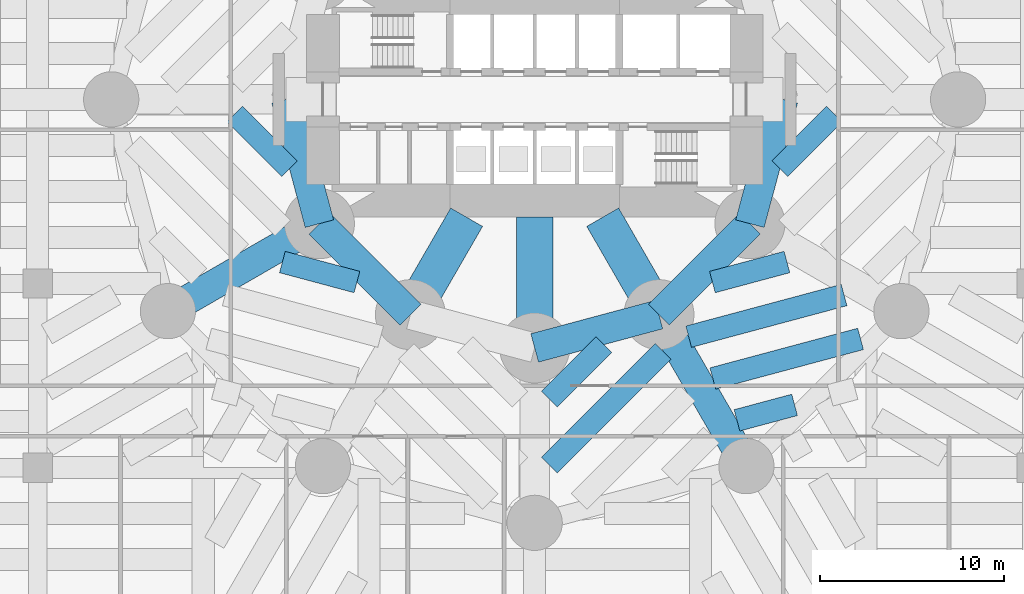
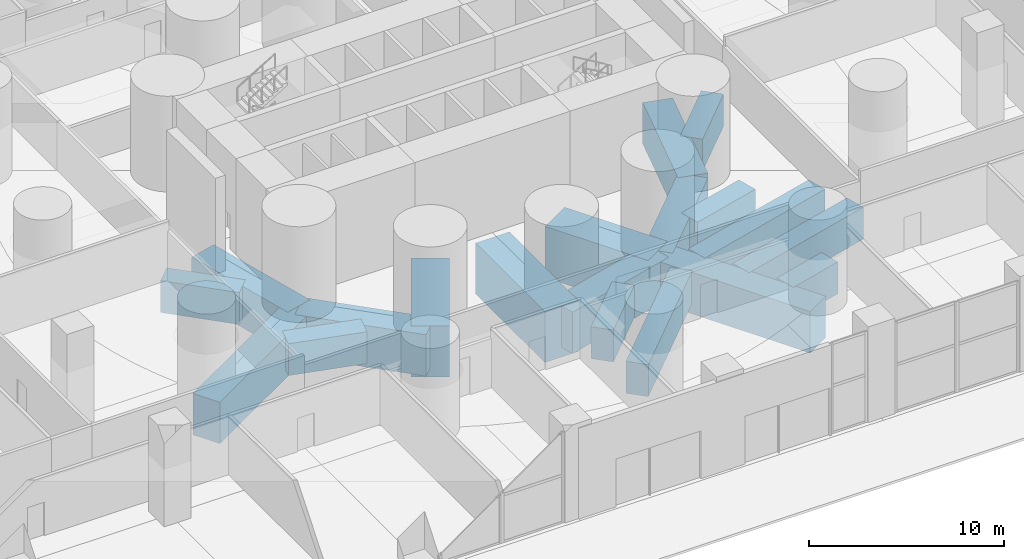
# One storey, part 5 of 20: 19 beams.
"""IFC4 building model written with IfcOpenShell, lengths in metres."""

from ifc_helpers import new_model, si_unit, direction, frame, origin, origin_2d, place, context, subcontext, project, spatial, rectangle, extrude, material, material_profile, profile_set, type_object, element, save


model = new_model("IFC4")

# Units and contexts
model_context = context("Model", 3, precision=1e-05, world=origin(), true_north=direction((0.0, 1.0)))
body_context = subcontext(model_context, "Body", "Model", "MODEL_VIEW")
ifc_project = project(units=[si_unit("LENGTHUNIT", "METRE"), si_unit("AREAUNIT", "SQUARE_METRE"), si_unit("VOLUMEUNIT", "CUBIC_METRE"), si_unit("PLANEANGLEUNIT", "RADIAN"), si_unit("MASSUNIT", "GRAM", prefix="KILO")], contexts=[model_context])

# Site, building, storey
site_placement = place(None, origin())
site = spatial("IfcSite", under=ifc_project, at=site_placement, CompositionType="ELEMENT")
building_placement = place(site_placement, origin())
building = spatial("IfcBuilding", under=site, at=building_placement, Name="Qaws Media Tower", CompositionType="ELEMENT")
storey_placement = place(building_placement, origin())
storey = spatial("IfcBuildingStorey", under=building, at=storey_placement, Name="L00", CompositionType="ELEMENT", Elevation=0.0)

# Beams
ifc_material_1 = material(Name="Concrete C60/75", Category="concrete")
ifc_material_profile_1 = material_profile(ifc_material_1, rectangle(XDim=2.0, YDim=3.199951171875, at=origin_2d()), Name="RC 2000x3200")
ifc_profile_set_1 = profile_set([ifc_material_profile_1], Name="Concrete C60/75")
beam_type_1 = type_object("IfcBeamType", Name="Podium core beam RC 2000x3200", PredefinedType="BEAM", material=ifc_profile_set_1)
beam_1_placement = place(storey_placement, frame((56.304931640625, 43.60009765625, -1.89990234375), z_axis=(-0.49998532359, -0.866033877048, 0.0), x_axis=(0.866033877048, -0.49998532359, 0.0)))
element("IfcBeam", 1, at=beam_1_placement, inside=storey, type_object=beam_type_1, Name="PB14 beam CORE-I09", PredefinedType="BEAM", context=body_context, shape_type="SweptSolid", body=[
    extrude(rectangle(XDim=2.0, YDim=3.199951171875, at=origin_2d()), origin(), (0.0, 0.0, 1.0), 6.110107421875),
])
beam_2_placement = place(storey_placement, frame((60.0, 43.60009765625, -1.89990234375), z_axis=(0.0, -1.0, 0.0), x_axis=(1.0, 0.0, 0.0)))
element("IfcBeam", 2, at=beam_2_placement, inside=storey, type_object=beam_type_1, Name="PB14 beam CORE-I10", PredefinedType="BEAM", context=body_context, shape_type="SweptSolid", body=[
    extrude(rectangle(XDim=2.0, YDim=3.199951171875, at=origin_2d()), origin(), (0.0, 0.0, 1.0), 7.10009765625),
])
beam_3_placement = place(storey_placement, frame((63.695068359375, 43.60009765625, -1.89990234375), z_axis=(0.49998532359, -0.866033877048, 0.0), x_axis=(0.866033877048, 0.49998532359, 0.0)))
element("IfcBeam", 3, at=beam_3_placement, inside=storey, type_object=beam_type_1, Name="PB14 beam CORE-I11", PredefinedType="BEAM", context=body_context, shape_type="SweptSolid", body=[
    extrude(rectangle(XDim=2.0, YDim=3.199951171875, at=origin_2d()), origin(), (0.0, 0.0, 1.0), 6.110107421875),
])
ifc_material_2 = material(Name="Concrete C60/75", Category="concrete")
ifc_material_profile_2 = material_profile(ifc_material_2, rectangle(XDim=1.199951171875, YDim=2.0, at=origin_2d()), Name="RC 1200x2000")
ifc_profile_set_2 = profile_set([ifc_material_profile_2], Name="Concrete C60/75")
beam_type_2 = type_object("IfcBeamType", Name="Podium secondary beam RC 1200x2000", PredefinedType="BEAM", material=ifc_profile_set_2)
for number, where, z_axis, x_axis, name in (
    (4, (46.680419921875, 46.23583984375, -1.300048828125), (-0.707106781187, 0.707106781187, 0.0), (-0.707106781187, -0.707106781187, 0.0), "PB7 beam bay T07 line 1"),
    (5, (50.346923828125, 40.080322265625, -1.300048828125), (-0.96592491418, 0.258822449118, 0.0), (-0.258822449118, -0.96592491418, 0.0), "PB7 beam bay T08 line 1"),
):
    element("IfcBeam", number, at=place(storey_placement, frame(where, z_axis=z_axis, x_axis=x_axis)), inside=storey, type_object=beam_type_2, Name=name, PredefinedType="BEAM", context=body_context, shape_type="SweptSolid", body=[
        extrude(rectangle(XDim=1.199951171875, YDim=2.0, at=origin_2d()), origin(), (0.0, 0.0, 1.0), 4.19189453125),
    ])
beam_4_placement = place(storey_placement, frame((60.800048828125, 30.132568359375, -1.300048828125), z_axis=(0.707106781187, 0.707106781187, 0.0), x_axis=(-0.707106781187, 0.707106781187, 0.0)))
element("IfcBeam", 6, at=beam_4_placement, inside=storey, type_object=beam_type_2, Name="PB7 beam bay T10 line 3", PredefinedType="BEAM", context=body_context, shape_type="SweptSolid", body=[
    extrude(rectangle(XDim=1.199951171875, YDim=2.0, at=origin_2d()), origin(), (0.0, 0.0, 1.0), 8.73876953125),
])
beam_5_placement = place(storey_placement, frame((60.800048828125, 33.71630859375, -1.300048828125), z_axis=(0.707106781187, 0.707106781187, 0.0), x_axis=(-0.707106781187, 0.707106781187, 0.0)))
element("IfcBeam", 7, at=beam_5_placement, inside=storey, type_object=beam_type_2, Name="PB7 beam bay T10 line 4", PredefinedType="BEAM", context=body_context, shape_type="SweptSolid", body=[
    extrude(rectangle(XDim=1.199951171875, YDim=2.0, at=origin_2d()), origin(), (0.0, 0.0, 1.0), 4.19189453125),
])
beam_6_placement = place(storey_placement, frame((70.98828125, 32.56787109375, -1.300048828125), z_axis=(0.965936615722, 0.258778775034, 0.0), x_axis=(-0.258778775034, 0.965936615722, 0.0)))
element("IfcBeam", 8, at=beam_6_placement, inside=storey, type_object=beam_type_2, Name="PB7 beam bay T11 line 1", PredefinedType="BEAM", context=body_context, shape_type="SweptSolid", body=[
    extrude(rectangle(XDim=1.199951171875, YDim=2.0, at=origin_2d()), origin(), (0.0, 0.0, 1.0), 3.23974609375),
])
beam_7_placement = place(storey_placement, frame((69.676513671875, 34.83984375, -1.300048828125), z_axis=(0.965929425695, 0.258805611564, 0.0), x_axis=(-0.258805611564, 0.965929425695, 0.0)))
element("IfcBeam", 9, at=beam_7_placement, inside=storey, type_object=beam_type_2, Name="PB7 beam bay T11 line 3", PredefinedType="BEAM", context=body_context, shape_type="SweptSolid", body=[
    extrude(rectangle(XDim=1.199951171875, YDim=2.0, at=origin_2d()), origin(), (0.0, 0.0, 1.0), 8.307861328125),
])
beam_8_placement = place(storey_placement, frame((68.36474609375, 37.11181640625, -1.300048828125), z_axis=(0.965926352771, 0.258817080236, 0.0), x_axis=(-0.258817080236, 0.965926352771, 0.0)))
element("IfcBeam", 10, at=beam_8_placement, inside=storey, type_object=beam_type_2, Name="PB7 beam bay T11 line 4", PredefinedType="BEAM", context=body_context, shape_type="SweptSolid", body=[
    extrude(rectangle(XDim=1.199951171875, YDim=2.0, at=origin_2d()), origin(), (0.0, 0.0, 1.0), 8.73876953125),
])
for number, where, z_axis, x_axis, name in (
    (11, (69.653076171875, 40.080322265625, -1.300048828125), (0.96592491418, 0.258822449118, 0.0), (-0.258822449118, 0.96592491418, 0.0), "PB7 beam bay T11 line 5"),
    (12, (73.319580078125, 46.23583984375, -1.300048828125), (0.707106781187, 0.707106781187, 0.0), (-0.707106781187, 0.707106781187, 0.0), "PB7 beam bay T12 line 4"),
):
    element("IfcBeam", number, at=place(storey_placement, frame(where, z_axis=z_axis, x_axis=x_axis)), inside=storey, type_object=beam_type_2, Name=name, PredefinedType="BEAM", context=body_context, shape_type="SweptSolid", body=[
        extrude(rectangle(XDim=1.199951171875, YDim=2.0, at=origin_2d()), origin(), (0.0, 0.0, 1.0), 4.19189453125),
    ])
ifc_material_3 = material(Name="Concrete C60/75", Category="concrete")
ifc_material_profile_3 = material_profile(ifc_material_3, rectangle(XDim=1.60009765625, YDim=2.60009765625, at=origin_2d()), Name="RC 1600x2600")
ifc_profile_set_3 = profile_set([ifc_material_profile_3], Name="Concrete C60/75")
beam_type_3 = type_object("IfcBeamType", Name="Podium tower beam RC 1600x2600", PredefinedType="BEAM", material=ifc_profile_set_3)
beam_9_placement = place(storey_placement, frame((46.5, 50.0, -1.60009765625), z_axis=(0.258810593767, -0.965928090778, 0.0), x_axis=(0.965928090778, 0.258810593767, 0.0)))
element("IfcBeam", 13, at=beam_9_placement, inside=storey, type_object=beam_type_3, Name="PB9 beam I07-I08", PredefinedType="BEAM", context=body_context, shape_type="SweptSolid", body=[
    extrude(rectangle(XDim=1.60009765625, YDim=2.60009765625, at=origin_2d()), origin(), (0.0, 0.0, 1.0), 6.988037109375),
])
beam_10_placement = place(storey_placement, frame((48.30859375, 43.25, -1.60009765625), z_axis=(-0.86602681393, -0.499997557548, 0.0), x_axis=(0.499997557548, -0.86602681393, 0.0)))
element("IfcBeam", 14, at=beam_10_placement, inside=storey, type_object=beam_type_3, Name="PB9 beam I08-M08", PredefinedType="BEAM", context=body_context, shape_type="SweptSolid", body=[
    extrude(rectangle(XDim=1.60009765625, YDim=2.60009765625, at=origin_2d()), origin(), (0.0, 0.0, 1.0), 9.5),
])
beam_11_placement = place(storey_placement, frame((48.30859375, 43.25, -1.60009765625), z_axis=(0.707106781187, -0.707106781187, 0.0), x_axis=(0.707106781187, 0.707106781187, 0.0)))
element("IfcBeam", 15, at=beam_11_placement, inside=storey, type_object=beam_type_3, Name="PB9 beam I08-I09", PredefinedType="BEAM", context=body_context, shape_type="SweptSolid", body=[
    extrude(rectangle(XDim=1.60009765625, YDim=2.60009765625, at=origin_2d()), origin(), (0.0, 0.0, 1.0), 6.98828125),
])
beam_12_placement = place(storey_placement, frame((60.0, 36.5, -1.60009765625), z_axis=(0.965928090778, 0.258810593767, 0.0), x_axis=(-0.258810593767, 0.965928090778, 0.0)))
element("IfcBeam", 16, at=beam_12_placement, inside=storey, type_object=beam_type_3, Name="PB9 beam I10-I11", PredefinedType="BEAM", context=body_context, shape_type="SweptSolid", body=[
    extrude(rectangle(XDim=1.60009765625, YDim=2.60009765625, at=origin_2d()), origin(), (0.0, 0.0, 1.0), 6.988037109375),
])
beam_13_placement = place(storey_placement, frame((66.75, 38.30859375, -1.60009765625), z_axis=(0.499997557548, -0.86602681393, 0.0), x_axis=(0.86602681393, 0.499997557548, 0.0)))
element("IfcBeam", 17, at=beam_13_placement, inside=storey, type_object=beam_type_3, Name="PB9 beam I11-M11", PredefinedType="BEAM", context=body_context, shape_type="SweptSolid", body=[
    extrude(rectangle(XDim=1.60009765625, YDim=2.60009765625, at=origin_2d()), origin(), (0.0, 0.0, 1.0), 9.5),
])
beam_14_placement = place(storey_placement, frame((66.75, 38.30859375, -1.60009765625), z_axis=(0.707106781187, 0.707106781187, 0.0), x_axis=(-0.707106781187, 0.707106781187, 0.0)))
element("IfcBeam", 18, at=beam_14_placement, inside=storey, type_object=beam_type_3, Name="PB9 beam I11-I12", PredefinedType="BEAM", context=body_context, shape_type="SweptSolid", body=[
    extrude(rectangle(XDim=1.60009765625, YDim=2.60009765625, at=origin_2d()), origin(), (0.0, 0.0, 1.0), 6.98828125),
])
beam_15_placement = place(storey_placement, frame((71.69140625, 43.25, -1.60009765625), z_axis=(0.258810593767, 0.965928090778, 0.0), x_axis=(-0.965928090778, 0.258810593767, 0.0)))
element("IfcBeam", 19, at=beam_15_placement, inside=storey, type_object=beam_type_3, Name="PB9 beam I12-I01", PredefinedType="BEAM", context=body_context, shape_type="SweptSolid", body=[
    extrude(rectangle(XDim=1.60009765625, YDim=2.60009765625, at=origin_2d()), origin(), (0.0, 0.0, 1.0), 6.988037109375),
])

save(model, "model.ifc")
